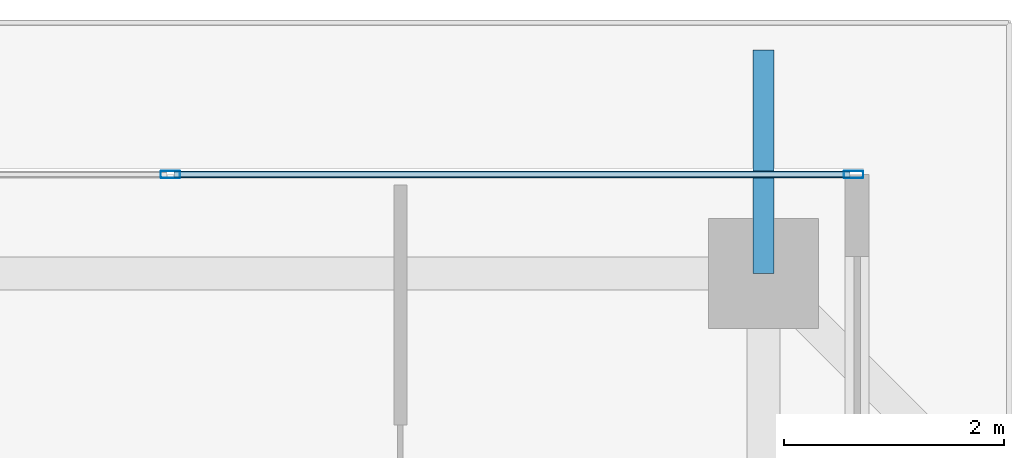
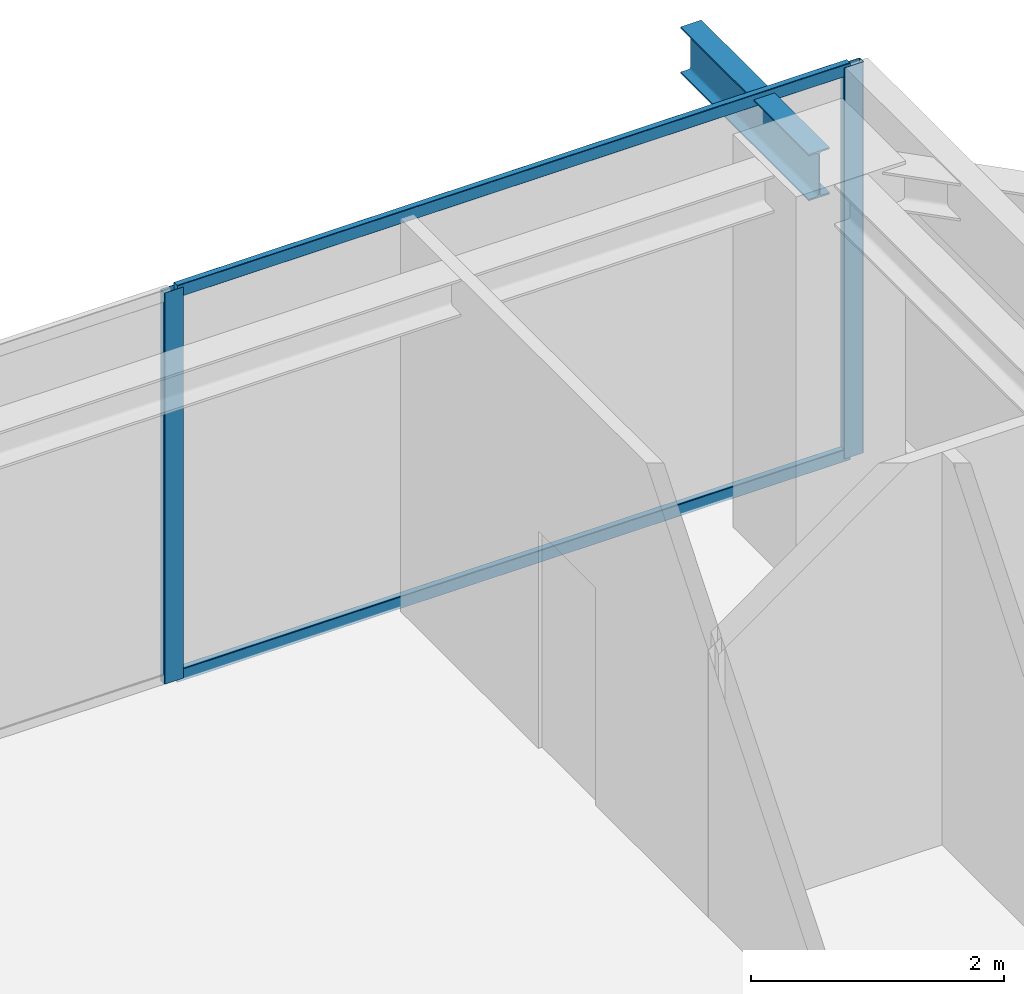
# One storey, part 29 of 42: 4 members, 1 beam, 1 element without a shape of its own.
"""IFC4 building model written with IfcOpenShell, lengths in metres."""

from ifc_helpers import new_model, si_unit, direction, frame, origin, origin_2d, place, context, subcontext, project, spatial, hollow_rectangle, i_section, extrude, source, transform, mapped, material, layer, layer_set, material_profile, profile_set, type_object, element, aggregate, save


model = new_model("IFC4")

# Units and contexts
model_context = context("Model", 3, precision=1e-05, world=origin(), true_north=direction((0.0, 1.0)))
body_context = subcontext(model_context, "Body", "Model", "MODEL_VIEW")
ifc_project = project(units=[si_unit("LENGTHUNIT", "METRE"), si_unit("AREAUNIT", "SQUARE_METRE"), si_unit("VOLUMEUNIT", "CUBIC_METRE"), si_unit("PLANEANGLEUNIT", "RADIAN"), si_unit("MASSUNIT", "GRAM", prefix="KILO")], contexts=[model_context])

# Site, building, storey
site_placement = place(None, origin())
site = spatial("IfcSite", under=ifc_project, at=site_placement, CompositionType="ELEMENT")
building_placement = place(site_placement, origin())
building = spatial("IfcBuilding", under=site, at=building_placement, Name="Serunith Strait Residences", CompositionType="ELEMENT")
storey_placement = place(building_placement, frame((0.0, 0.0, 293.449951171875)))
storey = spatial("IfcBuildingStorey", under=building, at=storey_placement, Name="L73", CompositionType="ELEMENT", Elevation=293.449951171875)

# Beam
ifc_material_1 = material(Name="Steel S355J2", Category="steel")
ifc_material_profile_1 = material_profile(ifc_material_1, i_section(OverallWidth=0.18994140625, OverallDepth=0.449951171875, WebThickness=0.009521484375, FlangeThickness=0.0146484375, FilletRadius=0.02099609375, at=origin_2d()), Name="IPE 450")
ifc_profile_set_1 = profile_set([ifc_material_profile_1], Name="Steel S355J2")
beam_type = type_object("IfcBeamType", Name="BM-IPE450", PredefinedType="JOIST", material=ifc_profile_set_1)
shared_shape_1 = source(origin(), body_context, "Body", "SweptSolid", [
    extrude(i_section(OverallWidth=0.18994140625, OverallDepth=0.449951171875, WebThickness=0.009521484375, FlangeThickness=0.0146484375, FilletRadius=0.02099609375, at=origin_2d()), origin(), (0.0, 0.0, 1.0), 2.02978515625),
])
beam_placement = place(storey_placement, frame((47.14990234375, 47.10009765625, 3.531982421875), z_axis=(0.0, 1.0, 0.0), x_axis=(-1.0, 0.0, 0.0)))
element("IfcBeam", 1, at=beam_placement, inside=storey, type_object=beam_type, Name="L74 Cantilevered Balcony Rib TC-N4", PredefinedType="JOIST", context=body_context, shape_type="MappedRepresentation", body=[
    mapped(shared_shape_1, transform((0.0, 0.0, 0.0), scale=1.0)),
])

# Curtain wall, members
ifc_material_2 = material(Name="Brushed Stainless-Silver Aluminium", Category="aluminium")
ifc_layer = layer(ifc_material_2, 0.199951171875, Name="Brushed Stainless-Silver Aluminium")
ifc_layer_set = layer_set([ifc_layer], Name="Brushed Stainless-Silver Aluminium")
curtain_wall_type = type_object("IfcCurtainWallType", Name="CW-SYS5", PredefinedType="NOTDEFINED", material=ifc_layer_set)
curtain_wall_placement = place(storey_placement, origin())
curtain_wall = element("IfcCurtainWall", 2, at=curtain_wall_placement, inside=storey, type_object=curtain_wall_type, Name="L73 N Unitised Fritted Curtain Wall", PredefinedType="NOTDEFINED")
ifc_material_profile_2 = material_profile(ifc_material_2, hollow_rectangle(XDim=0.06494140625, YDim=0.179931640625, WallThickness=0.00341796875, InnerFilletRadius=0.00537109375, OuterFilletRadius=0.0087890625, at=origin_2d()), Name="ALU 180x65x3.5")
ifc_profile_set_2 = profile_set([ifc_material_profile_2], Name="Brushed Stainless-Silver Aluminium")
member_type_1 = type_object("IfcMemberType", Name="CW-SYS5-MULL", PredefinedType="MULLION", material=ifc_profile_set_2)
shared_shape_2 = source(origin(), body_context, "Body", "SweptSolid", [
    extrude(hollow_rectangle(XDim=0.06494140625, YDim=0.179931640625, WallThickness=0.00341796875, InnerFilletRadius=0.00537109375, OuterFilletRadius=0.0087890625, at=origin_2d()), origin(), (0.0, 0.0, 1.0), 3.775146484375),
])
member_1_placement = place(storey_placement, frame((47.967529296875, 48.0, 0.0), z_axis=(0.0, 0.0, 1.0), x_axis=(0.0, -1.0, 0.0)))
member_1 = element("IfcMember", 3, at=member_1_placement, type_object=member_type_1, Name="CW-5 mullion 1", PredefinedType="MULLION", context=body_context, shape_type="MappedRepresentation", body=[
    mapped(shared_shape_2, transform((0.0, 0.0, 0.0), scale=1.0)),
])
member_2_placement = place(storey_placement, frame((41.760009765625, 48.0, 0.0), z_axis=(0.0, 0.0, 1.0), x_axis=(0.0, -1.0, 0.0)))
member_2 = element("IfcMember", 4, at=member_2_placement, type_object=member_type_1, Name="CW-5 mullion 2", PredefinedType="MULLION", context=body_context, shape_type="MappedRepresentation", body=[
    mapped(shared_shape_2, transform((0.0, 0.0, 0.0), scale=1.0)),
])
ifc_material_profile_3 = material_profile(ifc_material_2, hollow_rectangle(XDim=0.06005859375, YDim=0.1201171875, WallThickness=0.00341796875, InnerFilletRadius=0.00537109375, OuterFilletRadius=0.0087890625, at=origin_2d()), Name="ALU 120x60x3.5")
ifc_profile_set_3 = profile_set([ifc_material_profile_3], Name="Brushed Stainless-Silver Aluminium")
member_type_2 = type_object("IfcMemberType", Name="CW-SYS5-TRAN", PredefinedType="USERDEFINED", material=ifc_profile_set_3)
shared_shape_3 = source(origin(), body_context, "Body", "SweptSolid", [
    extrude(hollow_rectangle(XDim=0.06005859375, YDim=0.1201171875, WallThickness=0.00341796875, InnerFilletRadius=0.00537109375, OuterFilletRadius=0.0087890625, at=origin_2d()), origin(), (0.0, 0.0, 1.0), 6.142578125),
])
member_3_placement = place(storey_placement, frame((47.93505859375, 48.0, 0.030029296875), z_axis=(-1.0, 0.0, 0.0), x_axis=(0.0, -1.0, 0.0)))
member_3 = element("IfcMember", 5, at=member_3_placement, type_object=member_type_2, Name="CW-5 transom 1.1", ObjectType="TRANSOM", PredefinedType="USERDEFINED", context=body_context, shape_type="MappedRepresentation", body=[
    mapped(shared_shape_3, transform((0.0, 0.0, 0.0), scale=1.0)),
])
member_4_placement = place(storey_placement, frame((47.93505859375, 48.0, 3.7451171875), z_axis=(-1.0, 0.0, 0.0), x_axis=(0.0, -1.0, 0.0)))
member_4 = element("IfcMember", 6, at=member_4_placement, type_object=member_type_2, Name="CW-5 transom 1.2", ObjectType="TRANSOM", PredefinedType="USERDEFINED", context=body_context, shape_type="MappedRepresentation", body=[
    mapped(shared_shape_3, transform((0.0, 0.0, 0.0), scale=1.0)),
])
aggregate(curtain_wall, [member_1, member_2, member_3, member_4])

save(model, "model.ifc")
